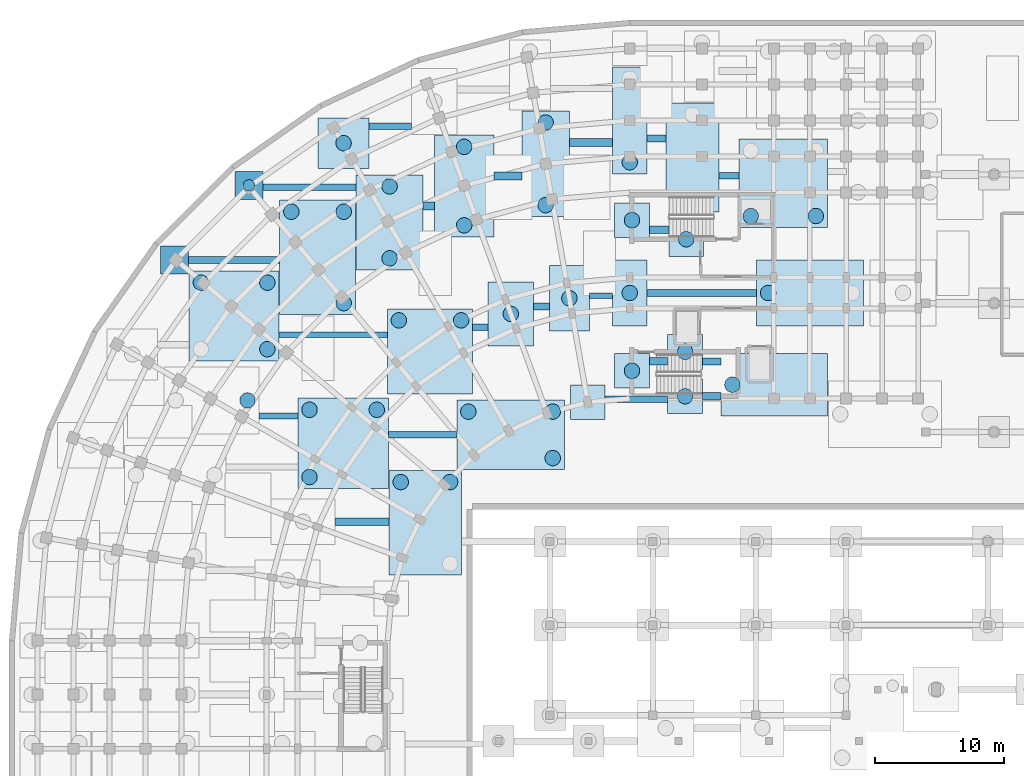
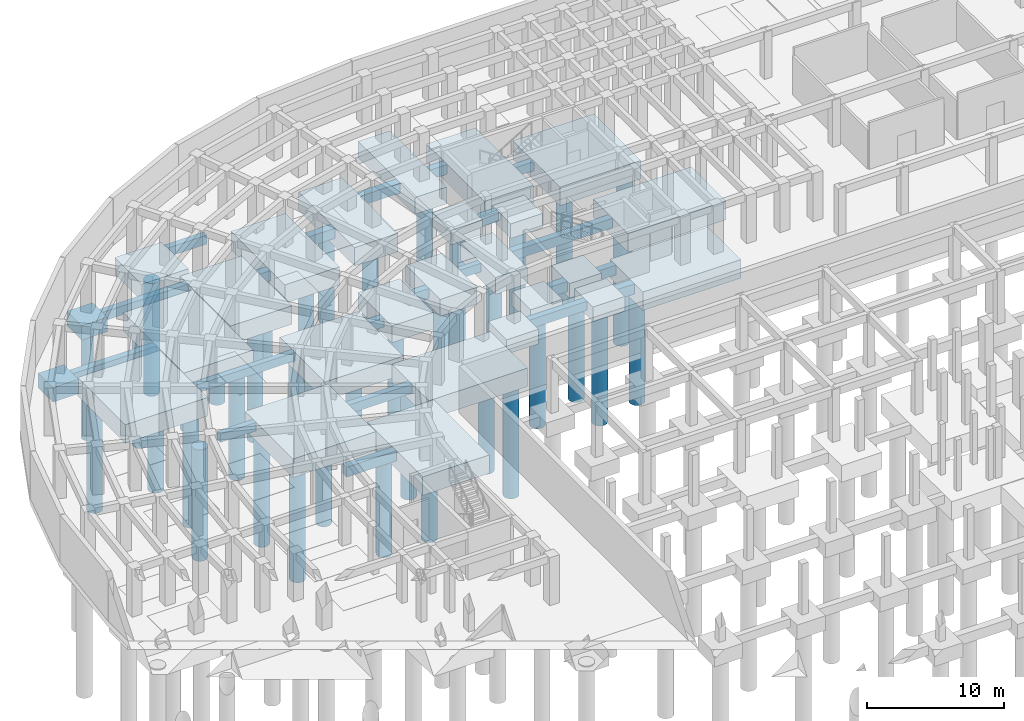
# One storey, part 7 of 53: 47 footings, 38 piles.
"""IFC4 building model written with IfcOpenShell, lengths in metres."""

from ifc_helpers import new_model, si_unit, direction, frame, origin, origin_2d, place, context, subcontext, project, spatial, rectangle, circle, extrude, material, material_profile, profile_set, type_object, element, save


model = new_model("IFC4")

# Units and contexts
model_context = context("Model", 3, precision=1e-05, world=origin(), true_north=direction((0.0, 1.0)))
body_context = subcontext(model_context, "Body", "Model", "MODEL_VIEW")
ifc_project = project(units=[si_unit("LENGTHUNIT", "METRE"), si_unit("AREAUNIT", "SQUARE_METRE"), si_unit("VOLUMEUNIT", "CUBIC_METRE"), si_unit("PLANEANGLEUNIT", "RADIAN"), si_unit("MASSUNIT", "GRAM", prefix="KILO")], contexts=[model_context])

# Site, building, storey
site_placement = place(None, origin())
site = spatial("IfcSite", under=ifc_project, at=site_placement, CompositionType="ELEMENT")
building_placement = place(site_placement, origin())
building = spatial("IfcBuilding", under=site, at=building_placement, Name="Kiranvali Square Residences", CompositionType="ELEMENT")
storey_placement = place(building_placement, frame((0.0, 0.0, -4.5)))
storey = spatial("IfcBuildingStorey", under=building, at=storey_placement, Name="B1", CompositionType="ELEMENT", Elevation=-4.5)

# Footings
ifc_material = material(Name="Concrete M40 (40 MPa)", Category="concrete")
footing_type_1 = type_object("IfcFootingType", Name="FTG-PILE_CAP-217x217x130", PredefinedType="PILE_CAP", material=ifc_material)
for number, where, z_axis, x_axis, name in (
    (1, (12.845947265625, 117.367919921875, -1.7998046875), (0.0, 0.0, 1.0), (1.0, 0.0, 0.0), "B1 pile cap 317"),
    (2, (18.632080078125, 123.154052734375, -1.7998046875), (0.0, 0.0, 1.0), (1.0, 0.0, 0.0), "B1 pile cap 335"),
):
    element("IfcFooting", number, at=place(storey_placement, frame(where, z_axis=z_axis, x_axis=x_axis)), inside=storey, type_object=footing_type_1, Name=name, PredefinedType="PILE_CAP", context=body_context, shape_type="SweptSolid", body=[
        extrude(rectangle(XDim=2.16796875, YDim=2.16796875, at=origin_2d()), origin(), (0.0, 0.0, 1.0), 1.300048828125),
    ])
footing_type_2 = type_object("IfcFootingType", Name="FTG-PILE_CAP-270x270x130", PredefinedType="PILE_CAP", material=ifc_material)
for number, where, z_axis, x_axis, name in (
    (3, (44.93505859375, 106.31396484375, -1.7998046875), (0.0, 0.0, 1.0), (1.0, 0.0, 0.0), "B1 pile cap 286"),
    (4, (52.5, 106.77490234375, -1.7998046875), (0.0, 0.0, 1.0), (1.0, 0.0, 0.0), "B1 pile cap 290"),
    (5, (48.375, 108.75, -1.7998046875), (0.0, 0.0, 1.0), (1.0, 0.0, 0.0), "B1 pile cap 294"),
    (6, (52.5, 110.22509765625, -1.7998046875), (0.0, 0.0, 1.0), (1.0, 0.0, 0.0), "B1 pile cap 298"),
):
    element("IfcFooting", number, at=place(storey_placement, frame(where, z_axis=z_axis, x_axis=x_axis)), inside=storey, type_object=footing_type_2, Name=name, PredefinedType="PILE_CAP", context=body_context, shape_type="SweptSolid", body=[
        extrude(rectangle(XDim=2.699951171875, YDim=2.699951171875, at=origin_2d()), origin(), (0.0, 0.0, 1.0), 1.300048828125),
    ])
footing_1_placement = place(storey_placement, frame((52.58740234375, 118.97509765625, -1.7998046875), z_axis=(0.0, 0.0, 1.0), x_axis=(1.0, 0.0, 0.0)))
element("IfcFooting", 7, at=footing_1_placement, inside=storey, type_object=footing_type_2, Name="B1 pile cap 321", PredefinedType="PILE_CAP", context=body_context, shape_type="SweptSolid", body=[
    extrude(rectangle(XDim=2.700927734375, YDim=2.699951171875, at=origin_2d()), origin(), (0.0, 0.0, 1.0), 1.300048828125),
])
footing_2_placement = place(storey_placement, frame((48.375, 120.449951171875, -1.7998046875), z_axis=(0.0, 0.0, 1.0), x_axis=(1.0, 0.0, 0.0)))
element("IfcFooting", 8, at=footing_2_placement, inside=storey, type_object=footing_type_2, Name="B1 pile cap 323", PredefinedType="PILE_CAP", context=body_context, shape_type="SweptSolid", body=[
    extrude(rectangle(XDim=2.699951171875, YDim=2.699951171875, at=origin_2d()), origin(), (0.0, 0.0, 1.0), 1.300048828125),
])
footing_type_3 = type_object("IfcFootingType", Name="FTG-PILE_CAP-395x395x150", PredefinedType="PILE_CAP", material=ifc_material)
footing_3_placement = place(storey_placement, frame((25.97509765625, 126.43310546875, -2.0), z_axis=(0.0, 0.0, 1.0), x_axis=(1.0, 0.0, 0.0)))
element("IfcFooting", 9, at=footing_3_placement, inside=storey, type_object=footing_type_3, Name="B1 pile cap 340", PredefinedType="PILE_CAP", context=body_context, shape_type="SweptSolid", body=[
    extrude(rectangle(XDim=3.949951171875, YDim=3.949951171875, at=origin_2d()), origin(), (0.0, 0.0, 1.0), 1.5),
])
footing_type_4 = type_object("IfcFootingType", Name="FTG-PILE_CAP-496x352x150", PredefinedType="PILE_CAP", material=ifc_material)
footing_4_placement = place(storey_placement, frame((38.965576171875, 113.17138671875, -2.0), z_axis=(0.0, 0.0, 1.0), x_axis=(0.0, 1.0, 0.0)))
element("IfcFooting", 10, at=footing_4_placement, inside=storey, type_object=footing_type_4, Name="B1 pile cap 302", PredefinedType="PILE_CAP", context=body_context, shape_type="SweptSolid", body=[
    extrude(rectangle(XDim=4.955078125, YDim=3.52099609375, at=origin_2d()), origin(), (0.0, 0.0, 1.0), 1.5),
])
footing_type_5 = type_object("IfcFootingType", Name="FTG-PILE_CAP-506x312x150", PredefinedType="PILE_CAP", material=ifc_material)
footing_5_placement = place(storey_placement, frame((43.511474609375, 114.389892578125, -2.0), z_axis=(0.0, 0.0, 1.0), x_axis=(0.0, 1.0, 0.0)))
element("IfcFooting", 11, at=footing_5_placement, inside=storey, type_object=footing_type_5, Name="B1 pile cap 304", PredefinedType="PILE_CAP", context=body_context, shape_type="SweptSolid", body=[
    extrude(rectangle(XDim=5.06396484375, YDim=3.116943359375, at=origin_2d()), origin(), (0.0, 0.0, 1.0), 1.5),
])
footing_type_6 = type_object("IfcFootingType", Name="FTG-PILE_CAP-510x270x150", PredefinedType="PILE_CAP", material=ifc_material)
footing_6_placement = place(storey_placement, frame((48.199951171875, 114.800048828125, -2.0), z_axis=(0.0, 0.0, 1.0), x_axis=(0.0, 1.0, 0.0)))
element("IfcFooting", 12, at=footing_6_placement, inside=storey, type_object=footing_type_6, Name="B1 pile cap 306", PredefinedType="PILE_CAP", context=body_context, shape_type="SweptSolid", body=[
    extrude(rectangle(XDim=5.10009765625, YDim=2.699951171875, at=origin_2d()), origin(), (0.0, 0.0, 1.0), 1.5),
])
footing_type_7 = type_object("IfcFootingType", Name="FTG-PILE_CAP-663x663x165", PredefinedType="PILE_CAP", material=ifc_material)
footing_7_placement = place(storey_placement, frame((32.6865234375, 110.256591796875, -2.14990234375), z_axis=(0.0, 0.0, 1.0), x_axis=(1.0, 0.0, 0.0)))
element("IfcFooting", 13, at=footing_7_placement, inside=storey, type_object=footing_type_7, Name="B1 pile cap 292", PredefinedType="PILE_CAP", context=body_context, shape_type="SweptSolid", body=[
    extrude(rectangle(XDim=6.631103515625, YDim=6.631103515625, at=origin_2d()), origin(), (0.0, 0.0, 1.0), 1.64990234375),
])
footing_type_8 = type_object("IfcFootingType", Name="FTG-PILE_CAP-688x685x165", PredefinedType="PILE_CAP", material=ifc_material)
footing_8_placement = place(storey_placement, frame((60.125, 123.3125, -2.14990234375), z_axis=(0.0, 0.0, 1.0), x_axis=(0.0, 1.0, 0.0)))
element("IfcFooting", 14, at=footing_8_placement, inside=storey, type_object=footing_type_8, Name="B1 pile cap 327", PredefinedType="PILE_CAP", context=body_context, shape_type="SweptSolid", body=[
    extrude(rectangle(XDim=6.875, YDim=6.85009765625, at=origin_2d()), origin(), (0.0, 0.0, 1.0), 1.64990234375),
])
footing_type_9 = type_object("IfcFootingType", Name="FTG-PILE_CAP-697x697x165", PredefinedType="PILE_CAP", material=ifc_material)
footing_9_placement = place(storey_placement, frame((17.472900390625, 113.01611328125, -2.14990234375), z_axis=(0.0, 0.0, 1.0), x_axis=(1.0, 0.0, 0.0)))
element("IfcFooting", 15, at=footing_9_placement, inside=storey, type_object=footing_type_9, Name="B1 pile cap 300", PredefinedType="PILE_CAP", context=body_context, shape_type="SweptSolid", body=[
    extrude(rectangle(XDim=6.968017578125, YDim=6.968017578125, at=origin_2d()), origin(), (0.0, 0.0, 1.0), 1.64990234375),
])
footing_type_10 = type_object("IfcFootingType", Name="FTG-PILE_CAP-703x703x165", PredefinedType="PILE_CAP", material=ifc_material)
footing_10_placement = place(storey_placement, frame((25.94140625, 103.115478515625, -2.14990234375), z_axis=(0.0, 0.0, 1.0), x_axis=(1.0, 0.0, 0.0)))
element("IfcFooting", 16, at=footing_10_placement, inside=storey, type_object=footing_type_10, Name="B1 pile cap 273", PredefinedType="PILE_CAP", context=body_context, shape_type="SweptSolid", body=[
    extrude(rectangle(XDim=7.027099609375, YDim=7.027099609375, at=origin_2d()), origin(), (0.0, 0.0, 1.0), 1.64990234375),
])
footing_type_11 = type_object("IfcFootingType", Name="FTG-PILE_CAP-738x520x165", PredefinedType="PILE_CAP", material=ifc_material)
footing_11_placement = place(storey_placement, frame((29.548095703125, 120.278564453125, -2.14990234375), z_axis=(0.0, 0.0, 1.0), x_axis=(0.0, 1.0, 0.0)))
element("IfcFooting", 17, at=footing_11_placement, inside=storey, type_object=footing_type_11, Name="B1 pile cap 319", PredefinedType="PILE_CAP", context=body_context, shape_type="SweptSolid", body=[
    extrude(rectangle(XDim=7.381103515625, YDim=5.2041015625, at=origin_2d()), origin(), (0.0, 0.0, 1.0), 1.64990234375),
])
footing_type_12 = type_object("IfcFootingType", Name="FTG-PILE_CAP-790x462x165", PredefinedType="PILE_CAP", material=ifc_material)
footing_12_placement = place(storey_placement, frame((35.340087890625, 123.10009765625, -2.14990234375), z_axis=(0.0, 0.0, 1.0), x_axis=(0.0, 1.0, 0.0)))
element("IfcFooting", 18, at=footing_12_placement, inside=storey, type_object=footing_type_12, Name="B1 pile cap 325", PredefinedType="PILE_CAP", context=body_context, shape_type="SweptSolid", body=[
    extrude(rectangle(XDim=7.89794921875, YDim=4.615966796875, at=origin_2d()), origin(), (0.0, 0.0, 1.0), 1.64990234375),
])
footing_type_13 = type_object("IfcFootingType", Name="FTG-PILE_CAP-813x563x165", PredefinedType="PILE_CAP", material=ifc_material)
footing_13_placement = place(storey_placement, frame((32.33154296875, 96.946533203125, -2.14990234375), z_axis=(0.0, 0.0, 1.0), x_axis=(0.0, 1.0, 0.0)))
element("IfcFooting", 19, at=footing_13_placement, inside=storey, type_object=footing_type_13, Name="B1 pile cap 254", PredefinedType="PILE_CAP", context=body_context, shape_type="SweptSolid", body=[
    extrude(rectangle(XDim=8.133056640625, YDim=5.633056640625, at=origin_2d()), origin(), (0.0, 0.0, 1.0), 1.64990234375),
])
footing_type_14 = type_object("IfcFootingType", Name="FTG-PILE_CAP-821x367x165", PredefinedType="PILE_CAP", material=ifc_material)
footing_14_placement = place(storey_placement, frame((41.6708984375, 124.82861328125, -2.14990234375), z_axis=(0.0, 0.0, 1.0), x_axis=(0.0, 1.0, 0.0)))
element("IfcFooting", 20, at=footing_14_placement, inside=storey, type_object=footing_type_14, Name="B1 pile cap 329", PredefinedType="PILE_CAP", context=body_context, shape_type="SweptSolid", body=[
    extrude(rectangle(XDim=8.215087890625, YDim=3.672119140625, at=origin_2d()), origin(), (0.0, 0.0, 1.0), 1.64990234375),
])
footing_type_15 = type_object("IfcFootingType", Name="FTG-PILE_CAP-828x485x165", PredefinedType="PILE_CAP", material=ifc_material)
footing_15_placement = place(storey_placement, frame((59.41259765625, 107.675048828125, -2.14990234375), z_axis=(0.0, 0.0, 1.0), x_axis=(1.0, 0.0, 0.0)))
element("IfcFooting", 21, at=footing_15_placement, inside=storey, type_object=footing_type_15, Name="B1 pile cap 288", PredefinedType="PILE_CAP", context=body_context, shape_type="SweptSolid", body=[
    extrude(rectangle(XDim=8.27490234375, YDim=4.85009765625, at=origin_2d()), origin(), (0.0, 0.0, 1.0), 1.64990234375),
])
footing_type_16 = type_object("IfcFootingType", Name="FTG-PILE_CAP-830x270x150", PredefinedType="PILE_CAP", material=ifc_material)
footing_16_placement = place(storey_placement, frame((48.199951171875, 128.199951171875, -2.0), z_axis=(0.0, 0.0, 1.0), x_axis=(0.0, 1.0, 0.0)))
element("IfcFooting", 22, at=footing_16_placement, inside=storey, type_object=footing_type_16, Name="B1 pile cap 342", PredefinedType="PILE_CAP", context=body_context, shape_type="SweptSolid", body=[
    extrude(rectangle(XDim=8.300048828125, YDim=2.699951171875, at=origin_2d()), origin(), (0.0, 0.0, 1.0), 1.5),
])
footing_type_17 = type_object("IfcFootingType", Name="FTG-PILE_CAP-830x510x165", PredefinedType="PILE_CAP", material=ifc_material)
footing_17_placement = place(storey_placement, frame((62.199951171875, 114.800048828125, -2.14990234375), z_axis=(0.0, 0.0, 1.0), x_axis=(1.0, 0.0, 0.0)))
element("IfcFooting", 23, at=footing_17_placement, inside=storey, type_object=footing_type_17, Name="B1 pile cap 307", PredefinedType="PILE_CAP", context=body_context, shape_type="SweptSolid", body=[
    extrude(rectangle(XDim=8.300048828125, YDim=5.10009765625, at=origin_2d()), origin(), (0.0, 0.0, 1.0), 1.64990234375),
])
footing_type_18 = type_object("IfcFootingType", Name="FTG-PILE_CAP-835x541x165", PredefinedType="PILE_CAP", material=ifc_material)
footing_18_placement = place(storey_placement, frame((38.943115234375, 103.779052734375, -2.14990234375), z_axis=(0.0, 0.0, 1.0), x_axis=(1.0, 0.0, 0.0)))
element("IfcFooting", 24, at=footing_18_placement, inside=storey, type_object=footing_type_18, Name="B1 pile cap 275", PredefinedType="PILE_CAP", context=body_context, shape_type="SweptSolid", body=[
    extrude(rectangle(XDim=8.35400390625, YDim=5.412109375, at=origin_2d()), origin(), (0.0, 0.0, 1.0), 1.64990234375),
])
footing_type_19 = type_object("IfcFootingType", Name="FTG-PILE_CAP-847x415x165", PredefinedType="PILE_CAP", material=ifc_material)
footing_19_placement = place(storey_placement, frame((53.075927734375, 125.3125, -2.14990234375), z_axis=(0.0, 0.0, 1.0), x_axis=(0.0, 1.0, 0.0)))
element("IfcFooting", 25, at=footing_19_placement, inside=storey, type_object=footing_type_19, Name="B1 pile cap 331", PredefinedType="PILE_CAP", context=body_context, shape_type="SweptSolid", body=[
    extrude(rectangle(XDim=8.47509765625, YDim=4.14794921875, at=origin_2d()), origin(), (0.0, 0.0, 1.0), 1.64990234375),
])
footing_type_20 = type_object("IfcFootingType", Name="FTG-PILE_CAP-890x587x165", PredefinedType="PILE_CAP", material=ifc_material)
footing_20_placement = place(storey_placement, frame((23.951416015625, 117.55908203125, -2.14990234375), z_axis=(0.0, 0.0, 1.0), x_axis=(0.0, 1.0, 0.0)))
element("IfcFooting", 26, at=footing_20_placement, inside=storey, type_object=footing_type_20, Name="B1 pile cap 315", PredefinedType="PILE_CAP", context=body_context, shape_type="SweptSolid", body=[
    extrude(rectangle(XDim=8.902099609375, YDim=5.868896484375, at=origin_2d()), origin(), (0.0, 0.0, 1.0), 1.64990234375),
])
ifc_material_profile_1 = material_profile(ifc_material, rectangle(XDim=0.449951171875, YDim=0.75, at=origin_2d()), Name="GB 450x750")
ifc_profile_set_1 = profile_set([ifc_material_profile_1], Name="Concrete M40 (40 MPa)")
footing_type_21 = type_object("IfcFootingType", Name="GB-M40-450x750", PredefinedType="FOOTING_BEAM", material=ifc_profile_set_1)
footing_21_placement = place(storey_placement, frame((19.412109375, 105.239501953125, -0.875), z_axis=(1.0, 0.0, 0.0), x_axis=(0.0, 1.0, 0.0)))
element("IfcFooting", 27, at=footing_21_placement, inside=storey, type_object=footing_type_21, Name="Continuous foundation ground beam GB-212", PredefinedType="FOOTING_BEAM", context=body_context, shape_type="SweptSolid", body=[
    extrude(rectangle(XDim=0.449951171875, YDim=0.75, at=origin_2d()), origin(), (0.0, 0.0, 1.0), 3.015869140625),
])
footing_22_placement = place(storey_placement, frame((20.95703125, 111.552001953125, -0.875), z_axis=(1.0, 0.0, 0.0), x_axis=(0.0, 1.0, 0.0)))
element("IfcFooting", 28, at=footing_22_placement, inside=storey, type_object=footing_type_21, Name="Continuous foundation ground beam GB-224", PredefinedType="FOOTING_BEAM", context=body_context, shape_type="SweptSolid", body=[
    extrude(rectangle(XDim=0.449951171875, YDim=0.75, at=origin_2d()), origin(), (0.0, 0.0, 1.0), 8.4140625),
])
footing_23_placement = place(storey_placement, frame((45.070068359375, 114.5859375, -0.875), z_axis=(1.0, 0.0, 0.0), x_axis=(0.0, 1.0, 0.0)))
element("IfcFooting", 29, at=footing_23_placement, inside=storey, type_object=footing_type_21, Name="Continuous foundation ground beam GB-228", PredefinedType="FOOTING_BEAM", context=body_context, shape_type="SweptSolid", body=[
    extrude(rectangle(XDim=0.449951171875, YDim=0.75, at=origin_2d()), origin(), (0.0, 0.0, 1.0), 1.780029296875),
])
ifc_material_profile_2 = material_profile(ifc_material, rectangle(XDim=0.5, YDim=0.800048828125, at=origin_2d()), Name="GB 500x800")
ifc_profile_set_2 = profile_set([ifc_material_profile_2], Name="Concrete M40 (40 MPa)")
footing_type_22 = type_object("IfcFootingType", Name="GB-M40-500x800", PredefinedType="FOOTING_BEAM", material=ifc_profile_set_2)
footing_24_placement = place(storey_placement, frame((29.455078125, 103.779052734375, -0.89990234375), z_axis=(1.0, 0.0, 0.0), x_axis=(0.0, 1.0, 0.0)))
element("IfcFooting", 30, at=footing_24_placement, inside=storey, type_object=footing_type_22, Name="Continuous foundation ground beam GB-205", PredefinedType="FOOTING_BEAM", context=body_context, shape_type="SweptSolid", body=[
    extrude(rectangle(XDim=0.5, YDim=0.800048828125, at=origin_2d()), origin(), (0.0, 0.0, 1.0), 5.31103515625),
])
footing_25_placement = place(storey_placement, frame((46.284912109375, 106.54443359375, -0.89990234375), z_axis=(1.0, 0.0, 0.0), x_axis=(0.0, 1.0, 0.0)))
element("IfcFooting", 31, at=footing_25_placement, inside=storey, type_object=footing_type_22, Name="Continuous foundation ground beam GB-213", PredefinedType="FOOTING_BEAM", context=body_context, shape_type="SweptSolid", body=[
    extrude(rectangle(XDim=0.5, YDim=0.800048828125, at=origin_2d()), origin(), (0.0, 0.0, 1.0), 4.864990234375),
])
footing_26_placement = place(storey_placement, frame((36.001953125, 112.133056640625, -0.89990234375), z_axis=(1.0, 0.0, 0.0), x_axis=(0.0, 1.0, 0.0)))
element("IfcFooting", 32, at=footing_26_placement, inside=storey, type_object=footing_type_22, Name="Continuous foundation ground beam GB-217", PredefinedType="FOOTING_BEAM", context=body_context, shape_type="SweptSolid", body=[
    extrude(rectangle(XDim=0.5, YDim=0.800048828125, at=origin_2d()), origin(), (0.0, 0.0, 1.0), 1.203125),
])
footing_27_placement = place(storey_placement, frame((55.14990234375, 123.91259765625, -0.89990234375), z_axis=(1.0, 0.0, 0.0), x_axis=(0.0, 1.0, 0.0)))
element("IfcFooting", 33, at=footing_27_placement, inside=storey, type_object=footing_type_22, Name="Continuous foundation ground beam GB-249", PredefinedType="FOOTING_BEAM", context=body_context, shape_type="SweptSolid", body=[
    extrude(rectangle(XDim=0.5, YDim=0.800048828125, at=origin_2d()), origin(), (0.0, 0.0, 1.0), 1.550048828125),
])
footing_28_placement = place(storey_placement, frame((19.716064453125, 123.01953125, -0.89990234375), z_axis=(1.0, 0.0, 0.0), x_axis=(0.0, 1.0, 0.0)))
element("IfcFooting", 34, at=footing_28_placement, inside=storey, type_object=footing_type_22, Name="Continuous foundation ground beam GB-253", PredefinedType="FOOTING_BEAM", context=body_context, shape_type="SweptSolid", body=[
    extrude(rectangle(XDim=0.5, YDim=0.800048828125, at=origin_2d()), origin(), (0.0, 0.0, 1.0), 7.22998046875),
])
footing_29_placement = place(storey_placement, frame((27.949951171875, 127.758544921875, -0.89990234375), z_axis=(1.0, 0.0, 0.0), x_axis=(0.0, 1.0, 0.0)))
element("IfcFooting", 35, at=footing_29_placement, inside=storey, type_object=footing_type_22, Name="Continuous foundation ground beam GB-257", PredefinedType="FOOTING_BEAM", context=body_context, shape_type="SweptSolid", body=[
    extrude(rectangle(XDim=0.5, YDim=0.800048828125, at=origin_2d()), origin(), (0.0, 0.0, 1.0), 3.317138671875),
])
ifc_material_profile_3 = material_profile(ifc_material, rectangle(XDim=0.550048828125, YDim=0.85009765625, at=origin_2d()), Name="GB 550x850")
ifc_profile_set_3 = profile_set([ifc_material_profile_3], Name="Concrete M40 (40 MPa)")
footing_type_23 = type_object("IfcFootingType", Name="GB-M40-550x850", PredefinedType="FOOTING_BEAM", material=ifc_profile_set_3)
footing_30_placement = place(storey_placement, frame((53.85009765625, 109.487548828125, -0.925048828125), z_axis=(1.0, 0.0, 0.0), x_axis=(0.0, 1.0, 0.0)))
element("IfcFooting", 36, at=footing_30_placement, inside=storey, type_object=footing_type_23, Name="Continuous foundation ground beam GB-222", PredefinedType="FOOTING_BEAM", context=body_context, shape_type="SweptSolid", body=[
    extrude(rectangle(XDim=0.550048828125, YDim=0.85009765625, at=origin_2d()), origin(), (0.0, 0.0, 1.0), 1.4248046875),
])
footing_31_placement = place(storey_placement, frame((40.72607421875, 113.75341796875, -0.925048828125), z_axis=(1.0, 0.0, 0.0), x_axis=(0.0, 1.0, 0.0)))
element("IfcFooting", 37, at=footing_31_placement, inside=storey, type_object=footing_type_23, Name="Continuous foundation ground beam GB-226", PredefinedType="FOOTING_BEAM", context=body_context, shape_type="SweptSolid", body=[
    extrude(rectangle(XDim=0.550048828125, YDim=0.85009765625, at=origin_2d()), origin(), (0.0, 0.0, 1.0), 1.226806640625),
])
footing_32_placement = place(storey_placement, frame((49.550048828125, 114.800048828125, -0.925048828125), z_axis=(1.0, 0.0, 0.0), x_axis=(0.0, 1.0, 0.0)))
element("IfcFooting", 38, at=footing_32_placement, inside=storey, type_object=footing_type_23, Name="Continuous foundation ground beam GB-230", PredefinedType="FOOTING_BEAM", context=body_context, shape_type="SweptSolid", body=[
    extrude(rectangle(XDim=0.550048828125, YDim=0.85009765625, at=origin_2d()), origin(), (0.0, 0.0, 1.0), 8.5),
])
footing_33_placement = place(storey_placement, frame((13.929931640625, 117.367919921875, -0.925048828125), z_axis=(1.0, 0.0, 0.0), x_axis=(0.0, 1.0, 0.0)))
element("IfcFooting", 39, at=footing_33_placement, inside=storey, type_object=footing_type_23, Name="Continuous foundation ground beam GB-238", PredefinedType="FOOTING_BEAM", context=body_context, shape_type="SweptSolid", body=[
    extrude(rectangle(XDim=0.550048828125, YDim=0.85009765625, at=origin_2d()), origin(), (0.0, 0.0, 1.0), 7.087158203125),
])
footing_34_placement = place(storey_placement, frame((49.72509765625, 119.71240234375, -0.925048828125), z_axis=(1.0, 0.0, 0.0), x_axis=(0.0, 1.0, 0.0)))
element("IfcFooting", 40, at=footing_34_placement, inside=storey, type_object=footing_type_23, Name="Continuous foundation ground beam GB-242", PredefinedType="FOOTING_BEAM", context=body_context, shape_type="SweptSolid", body=[
    extrude(rectangle(XDim=0.550048828125, YDim=0.85009765625, at=origin_2d()), origin(), (0.0, 0.0, 1.0), 1.511962890625),
])
footing_35_placement = place(storey_placement, frame((49.550048828125, 126.800048828125, -0.925048828125), z_axis=(1.0, 0.0, 0.0), x_axis=(0.0, 1.0, 0.0)))
element("IfcFooting", 41, at=footing_35_placement, inside=storey, type_object=footing_type_23, Name="Continuous foundation ground beam GB-258", PredefinedType="FOOTING_BEAM", context=body_context, shape_type="SweptSolid", body=[
    extrude(rectangle(XDim=0.550048828125, YDim=0.85009765625, at=origin_2d()), origin(), (0.0, 0.0, 1.0), 1.451904296875),
])
ifc_material_profile_4 = material_profile(ifc_material, rectangle(XDim=0.60009765625, YDim=0.89990234375, at=origin_2d()), Name="GB 600x900")
ifc_profile_set_4 = profile_set([ifc_material_profile_4], Name="Concrete M40 (40 MPa)")
footing_type_24 = type_object("IfcFootingType", Name="GB-M40-600x900", PredefinedType="FOOTING_BEAM", material=ifc_profile_set_4)
footing_36_placement = place(storey_placement, frame((25.305908203125, 97.034423828125, -0.949951171875), z_axis=(1.0, 0.0, 0.0), x_axis=(0.0, 1.0, 0.0)))
element("IfcFooting", 42, at=footing_36_placement, inside=storey, type_object=footing_type_24, Name="Continuous foundation ground beam GB-203", PredefinedType="FOOTING_BEAM", context=body_context, shape_type="SweptSolid", body=[
    extrude(rectangle(XDim=0.60009765625, YDim=0.89990234375, at=origin_2d()), origin(), (0.0, 0.0, 1.0), 4.208984375),
])
for number, where, z_axis, x_axis, name in (
    (43, (53.85009765625, 106.77490234375, -0.949951171875), (1.0, 0.0, 0.0), (0.0, 1.0, 0.0), "Continuous foundation ground beam GB-215"),
    (44, (49.72509765625, 109.487548828125, -0.949951171875), (1.0, 0.0, 0.0), (0.0, 1.0, 0.0), "Continuous foundation ground beam GB-219"),
):
    element("IfcFooting", number, at=place(storey_placement, frame(where, z_axis=z_axis, x_axis=x_axis)), inside=storey, type_object=footing_type_24, Name=name, PredefinedType="FOOTING_BEAM", context=body_context, shape_type="SweptSolid", body=[
        extrude(rectangle(XDim=0.60009765625, YDim=0.89990234375, at=origin_2d()), origin(), (0.0, 0.0, 1.0), 1.4248046875),
    ])
footing_37_placement = place(storey_placement, frame((32.14990234375, 121.56005859375, -0.949951171875), z_axis=(1.0, 0.0, 0.0), x_axis=(0.0, 1.0, 0.0)))
element("IfcFooting", 45, at=footing_37_placement, inside=storey, type_object=footing_type_24, Name="Continuous foundation ground beam GB-239", PredefinedType="FOOTING_BEAM", context=body_context, shape_type="SweptSolid", body=[
    extrude(rectangle(XDim=0.60009765625, YDim=0.89990234375, at=origin_2d()), origin(), (0.0, 0.0, 1.0), 0.882080078125),
])
footing_38_placement = place(storey_placement, frame((37.64794921875, 123.885009765625, -0.949951171875), z_axis=(1.0, 0.0, 0.0), x_axis=(0.0, 1.0, 0.0)))
element("IfcFooting", 46, at=footing_38_placement, inside=storey, type_object=footing_type_24, Name="Continuous foundation ground beam GB-243", PredefinedType="FOOTING_BEAM", context=body_context, shape_type="SweptSolid", body=[
    extrude(rectangle(XDim=0.60009765625, YDim=0.89990234375, at=origin_2d()), origin(), (0.0, 0.0, 1.0), 2.18701171875),
])
footing_39_placement = place(storey_placement, frame((43.507080078125, 126.492919921875, -0.949951171875), z_axis=(1.0, 0.0, 0.0), x_axis=(0.0, 1.0, 0.0)))
element("IfcFooting", 47, at=footing_39_placement, inside=storey, type_object=footing_type_24, Name="Continuous foundation ground beam GB-247", PredefinedType="FOOTING_BEAM", context=body_context, shape_type="SweptSolid", body=[
    extrude(rectangle(XDim=0.60009765625, YDim=0.89990234375, at=origin_2d()), origin(), (0.0, 0.0, 1.0), 3.343017578125),
])

# Piles
ifc_material_profile_5 = material_profile(ifc_material, circle(Radius=0.60009765625, at=origin_2d()), Name="BORED PILE 1200")
ifc_profile_set_5 = profile_set([ifc_material_profile_5], Name="Concrete M40 (40 MPa)")
pile_type_1 = type_object("IfcPileType", Name="PILE-BORED-1200", PredefinedType="BORED", material=ifc_profile_set_5)
for number, where, z_axis, x_axis, name in (
    (48, (30.4150390625, 100.113037109375, -2.050048828125), (0.0, 0.0, -1.0), (1.0, 0.0, 0.0), "Bored basalt-socketed pile P-0342"),
    (49, (34.248046875, 100.113037109375, -2.050048828125), (0.0, 0.0, -1.0), (1.0, 0.0, 0.0), "Bored basalt-socketed pile P-0344"),
    (50, (23.327880859375, 100.501953125, -2.050048828125), (0.0, 0.0, -1.0), (1.0, 0.0, 0.0), "Bored basalt-socketed pile P-0367"),
    (51, (23.327880859375, 105.72900390625, -2.050048828125), (0.0, 0.0, -1.0), (1.0, 0.0, 0.0), "Bored basalt-socketed pile P-0368"),
    (52, (28.554931640625, 105.72900390625, -2.050048828125), (0.0, 0.0, -1.0), (1.0, 0.0, 0.0), "Bored basalt-socketed pile P-0369"),
    (53, (35.666015625, 105.5849609375, -2.050048828125), (0.0, 0.0, -1.0), (1.0, 0.0, 0.0), "Bored basalt-socketed pile P-0373"),
    (54, (42.219970703125, 101.972900390625, -2.050048828125), (0.0, 0.0, -1.0), (1.0, 0.0, 0.0), "Bored basalt-socketed pile P-0374"),
    (55, (42.219970703125, 105.5849609375, -2.050048828125), (0.0, 0.0, -1.0), (1.0, 0.0, 0.0), "Bored basalt-socketed pile P-0375"),
    (56, (18.511962890625, 106.451904296875, -2.050048828125), (0.0, 0.0, -1.0), (1.0, 0.0, 0.0), "Bored basalt-socketed pile P-0389"),
    (57, (56.175048828125, 107.675048828125, -2.050048828125), (0.0, 0.0, -1.0), (1.0, 0.0, 0.0), "Bored basalt-socketed pile P-0392"),
):
    element("IfcPile", number, at=place(storey_placement, frame(where, z_axis=z_axis, x_axis=x_axis)), inside=storey, type_object=pile_type_1, Name=name, PredefinedType="BORED", context=body_context, shape_type="SweptSolid", body=[
        extrude(circle(Radius=0.60009765625, at=origin_2d()), origin(), (0.0, 0.0, 1.0), 9.949951171875),
    ])
pile_1_placement = place(storey_placement, frame((52.5, 106.77490234375, -1.699951171875), z_axis=(0.0, 0.0, -1.0), x_axis=(1.0, 0.0, 0.0)))
element("IfcPile", 58, at=pile_1_placement, inside=storey, type_object=pile_type_1, Name="Bored basalt-socketed pile P-0394", PredefinedType="BORED", context=body_context, shape_type="SweptSolid", body=[
    extrude(circle(Radius=0.60009765625, at=origin_2d()), origin(), (0.0, 0.0, 1.0), 10.300048828125),
])
for number, where, z_axis, x_axis, name in (
    (59, (30.27099609375, 112.672119140625, -2.050048828125), (0.0, 0.0, -1.0), (1.0, 0.0, 0.0), "Bored basalt-socketed pile P-0396"),
    (60, (35.10205078125, 112.672119140625, -2.050048828125), (0.0, 0.0, -1.0), (1.0, 0.0, 0.0), "Bored basalt-socketed pile P-0397"),
):
    element("IfcPile", number, at=place(storey_placement, frame(where, z_axis=z_axis, x_axis=x_axis)), inside=storey, type_object=pile_type_1, Name=name, PredefinedType="BORED", context=body_context, shape_type="SweptSolid", body=[
        extrude(circle(Radius=0.60009765625, at=origin_2d()), origin(), (0.0, 0.0, 1.0), 9.949951171875),
    ])
for number, where, z_axis, x_axis, name in (
    (61, (48.375, 108.75, -1.699951171875), (0.0, 0.0, -1.0), (1.0, 0.0, 0.0), "Bored basalt-socketed pile P-0400"),
    (62, (52.5, 110.22509765625, -1.699951171875), (0.0, 0.0, -1.0), (1.0, 0.0, 0.0), "Bored basalt-socketed pile P-0404"),
):
    element("IfcPile", number, at=place(storey_placement, frame(where, z_axis=z_axis, x_axis=x_axis)), inside=storey, type_object=pile_type_1, Name=name, PredefinedType="BORED", context=body_context, shape_type="SweptSolid", body=[
        extrude(circle(Radius=0.60009765625, at=origin_2d()), origin(), (0.0, 0.0, 1.0), 10.300048828125),
    ])
for number, where, z_axis, x_axis, name in (
    (63, (14.888916015625, 115.60009765625, -2.050048828125), (0.0, 0.0, -1.0), (1.0, 0.0, 0.0), "Bored basalt-socketed pile P-0407"),
    (64, (20.056884765625, 110.431884765625, -2.050048828125), (0.0, 0.0, -1.0), (1.0, 0.0, 0.0), "Bored basalt-socketed pile P-0408"),
    (65, (20.056884765625, 115.60009765625, -2.050048828125), (0.0, 0.0, -1.0), (1.0, 0.0, 0.0), "Bored basalt-socketed pile P-0409"),
):
    element("IfcPile", number, at=place(storey_placement, frame(where, z_axis=z_axis, x_axis=x_axis)), inside=storey, type_object=pile_type_1, Name=name, PredefinedType="BORED", context=body_context, shape_type="SweptSolid", body=[
        extrude(circle(Radius=0.60009765625, at=origin_2d()), origin(), (0.0, 0.0, 1.0), 9.949951171875),
    ])
for number, where, z_axis, x_axis, name in (
    (66, (38.965576171875, 113.17138671875, -1.89990234375), (0.0, 0.0, -1.0), (1.0, 0.0, 0.0), "Bored basalt-socketed pile P-0414"),
    (67, (43.511474609375, 114.389892578125, -1.89990234375), (0.0, 0.0, -1.0), (1.0, 0.0, 0.0), "Bored basalt-socketed pile P-0416"),
    (68, (48.199951171875, 114.800048828125, -1.89990234375), (0.0, 0.0, -1.0), (1.0, 0.0, 0.0), "Bored basalt-socketed pile P-0418"),
):
    element("IfcPile", number, at=place(storey_placement, frame(where, z_axis=z_axis, x_axis=x_axis)), inside=storey, type_object=pile_type_1, Name=name, PredefinedType="BORED", context=body_context, shape_type="SweptSolid", body=[
        extrude(circle(Radius=0.60009765625, at=origin_2d()), origin(), (0.0, 0.0, 1.0), 10.10009765625),
    ])
for number, where, z_axis, x_axis, name in (
    (69, (58.949951171875, 114.800048828125, -2.050048828125), (0.0, 0.0, -1.0), (1.0, 0.0, 0.0), "Bored basalt-socketed pile P-0419"),
    (70, (21.9169921875, 121.110107421875, -2.050048828125), (0.0, 0.0, -1.0), (1.0, 0.0, 0.0), "Bored basalt-socketed pile P-0429"),
    (71, (25.986083984375, 114.008056640625, -2.050048828125), (0.0, 0.0, -1.0), (1.0, 0.0, 0.0), "Bored basalt-socketed pile P-0430"),
    (72, (25.986083984375, 121.110107421875, -2.050048828125), (0.0, 0.0, -1.0), (1.0, 0.0, 0.0), "Bored basalt-socketed pile P-0431"),
    (73, (29.548095703125, 117.488037109375, -2.050048828125), (0.0, 0.0, -1.0), (1.0, 0.0, 0.0), "Bored basalt-socketed pile P-0435"),
    (74, (29.548095703125, 123.069091796875, -2.050048828125), (0.0, 0.0, -1.0), (1.0, 0.0, 0.0), "Bored basalt-socketed pile P-0436"),
):
    element("IfcPile", number, at=place(storey_placement, frame(where, z_axis=z_axis, x_axis=x_axis)), inside=storey, type_object=pile_type_1, Name=name, PredefinedType="BORED", context=body_context, shape_type="SweptSolid", body=[
        extrude(circle(Radius=0.60009765625, at=origin_2d()), origin(), (0.0, 0.0, 1.0), 9.949951171875),
    ])
for number, where, z_axis, x_axis, name in (
    (75, (52.58740234375, 118.97509765625, -1.699951171875), (0.0, 0.0, -1.0), (1.0, 0.0, 0.0), "Bored basalt-socketed pile P-0439"),
    (76, (48.375, 120.449951171875, -1.699951171875), (0.0, 0.0, -1.0), (1.0, 0.0, 0.0), "Bored basalt-socketed pile P-0441"),
):
    element("IfcPile", number, at=place(storey_placement, frame(where, z_axis=z_axis, x_axis=x_axis)), inside=storey, type_object=pile_type_1, Name=name, PredefinedType="BORED", context=body_context, shape_type="SweptSolid", body=[
        extrude(circle(Radius=0.60009765625, at=origin_2d()), origin(), (0.0, 0.0, 1.0), 10.300048828125),
    ])
for number, where, z_axis, x_axis, name in (
    (77, (35.340087890625, 120.051025390625, -2.050048828125), (0.0, 0.0, -1.0), (1.0, 0.0, 0.0), "Bored basalt-socketed pile P-0443"),
    (78, (35.340087890625, 126.14892578125, -2.050048828125), (0.0, 0.0, -1.0), (1.0, 0.0, 0.0), "Bored basalt-socketed pile P-0444"),
    (79, (57.60009765625, 120.77490234375, -2.050048828125), (0.0, 0.0, -1.0), (1.0, 0.0, 0.0), "Bored basalt-socketed pile P-0447"),
    (80, (62.64990234375, 120.77490234375, -2.050048828125), (0.0, 0.0, -1.0), (1.0, 0.0, 0.0), "Bored basalt-socketed pile P-0449"),
    (81, (41.6708984375, 121.62109375, -2.050048828125), (0.0, 0.0, -1.0), (1.0, 0.0, 0.0), "Bored basalt-socketed pile P-0455"),
    (82, (41.6708984375, 128.035888671875, -2.050048828125), (0.0, 0.0, -1.0), (1.0, 0.0, 0.0), "Bored basalt-socketed pile P-0456"),
):
    element("IfcPile", number, at=place(storey_placement, frame(where, z_axis=z_axis, x_axis=x_axis)), inside=storey, type_object=pile_type_1, Name=name, PredefinedType="BORED", context=body_context, shape_type="SweptSolid", body=[
        extrude(circle(Radius=0.60009765625, at=origin_2d()), origin(), (0.0, 0.0, 1.0), 9.949951171875),
    ])
for number, where, z_axis, x_axis, name in (
    (83, (25.97509765625, 126.43310546875, -1.89990234375), (0.0, 0.0, -1.0), (1.0, 0.0, 0.0), "Bored basalt-socketed pile P-0474"),
    (84, (48.199951171875, 124.949951171875, -1.89990234375), (0.0, 0.0, -1.0), (1.0, 0.0, 0.0), "Bored basalt-socketed pile P-0476"),
):
    element("IfcPile", number, at=place(storey_placement, frame(where, z_axis=z_axis, x_axis=x_axis)), inside=storey, type_object=pile_type_1, Name=name, PredefinedType="BORED", context=body_context, shape_type="SweptSolid", body=[
        extrude(circle(Radius=0.60009765625, at=origin_2d()), origin(), (0.0, 0.0, 1.0), 10.10009765625),
    ])
ifc_material_profile_6 = material_profile(ifc_material, circle(Radius=0.449951171875, at=origin_2d()), Name="BORED PILE 900")
ifc_profile_set_6 = profile_set([ifc_material_profile_6], Name="Concrete M40 (40 MPa)")
pile_type_2 = type_object("IfcPileType", Name="PILE-BORED-900", PredefinedType="BORED", material=ifc_profile_set_6)
pile_2_placement = place(storey_placement, frame((18.632080078125, 123.154052734375, -1.699951171875), z_axis=(0.0, 0.0, -1.0), x_axis=(1.0, 0.0, 0.0)))
element("IfcPile", 85, at=pile_2_placement, inside=storey, type_object=pile_type_2, Name="Bored basalt-socketed pile P-0469", PredefinedType="BORED", context=body_context, shape_type="SweptSolid", body=[
    extrude(circle(Radius=0.449951171875, at=origin_2d()), origin(), (0.0, 0.0, 1.0), 9.800048828125),
])

save(model, "model.ifc")
